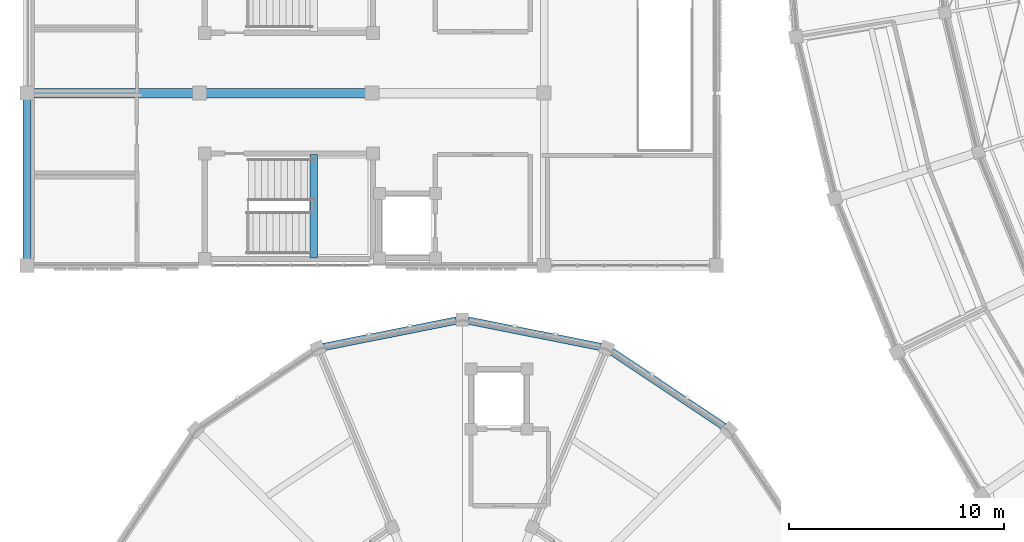
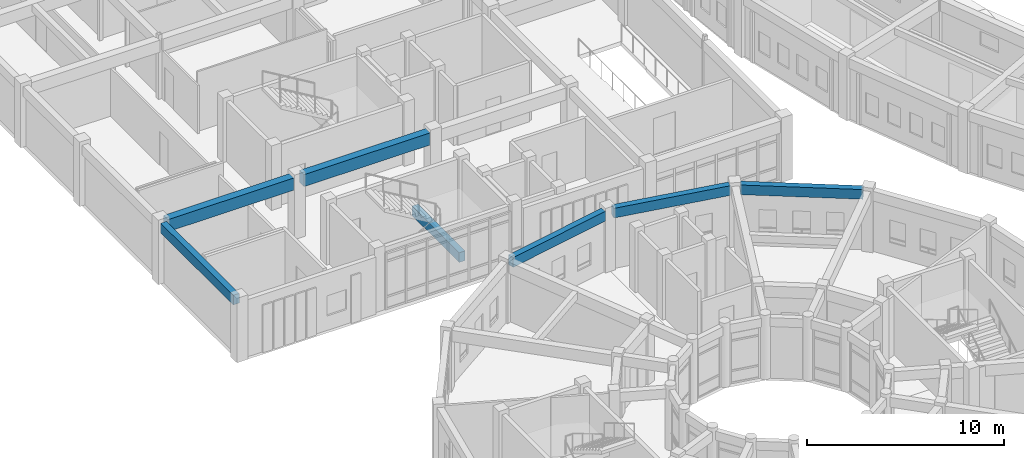
# One storey, part 18 of 112: 7 beams.
"""IFC4 building model written with IfcOpenShell, lengths in metres."""

from ifc_helpers import new_model, si_unit, direction, frame, origin, origin_2d, place, context, subcontext, project, spatial, rectangle, extrude, material, material_profile, profile_set, type_object, element, save


model = new_model("IFC4")

# Units and contexts
model_context = context("Model", 3, precision=1e-05, world=origin(), true_north=direction((0.0, 1.0)))
body_context = subcontext(model_context, "Body", "Model", "MODEL_VIEW")
ifc_project = project(units=[si_unit("LENGTHUNIT", "METRE"), si_unit("AREAUNIT", "SQUARE_METRE"), si_unit("VOLUMEUNIT", "CUBIC_METRE"), si_unit("PLANEANGLEUNIT", "RADIAN"), si_unit("MASSUNIT", "GRAM", prefix="KILO")], contexts=[model_context])

# Site, building, storey
site_placement = place(None, origin())
site = spatial("IfcSite", under=ifc_project, at=site_placement, CompositionType="ELEMENT")
building_placement = place(site_placement, origin())
building = spatial("IfcBuilding", under=site, at=building_placement, Name="Celadon Cloister-Ring School", CompositionType="ELEMENT")
storey_placement = place(building_placement, frame((0.0, 0.0, 8.5)))
storey = spatial("IfcBuildingStorey", under=building, at=storey_placement, Name="L02", CompositionType="ELEMENT", Elevation=8.5)

# Beams
ifc_material_1 = material(Name="Concrete C35/45", Category="concrete")
ifc_material_profile_1 = material_profile(ifc_material_1, rectangle(XDim=0.35009765625, YDim=0.60009765625, at=origin_2d()), Name="RC350X600")
ifc_profile_set_1 = profile_set([ifc_material_profile_1], Name="Concrete C35/45")
beam_type_1 = type_object("IfcBeamType", Name="BT-02", PredefinedType="BEAM", material=ifc_profile_set_1)
beam_1_placement = place(storey_placement, frame((0.0, 40.300048828125, 3.4599609375), z_axis=(0.0, 1.0, 0.0), x_axis=(-1.0, 0.0, 0.0)))
element("IfcBeam", 1, at=beam_1_placement, inside=storey, type_object=beam_type_1, Name="Beam 1575", PredefinedType="BEAM", context=body_context, shape_type="SweptSolid", body=[
    extrude(rectangle(XDim=0.35009765625, YDim=0.60009765625, at=origin_2d()), origin(), (0.0, 0.0, 1.0), 7.39990234375),
])
beam_2_placement = place(storey_placement, frame((13.300048828125, 40.35009765625, 1.419921875), z_axis=(0.0, 1.0, 0.0), x_axis=(-1.0, 0.0, 0.0)))
element("IfcBeam", 2, at=beam_2_placement, inside=storey, type_object=beam_type_1, Name="Stair Landing Beam 1723", PredefinedType="BEAM", context=body_context, shape_type="SweptSolid", body=[
    extrude(rectangle(XDim=0.35009765625, YDim=0.60009765625, at=origin_2d()), origin(), (0.0, 0.0, 1.0), 4.7998046875),
])
ifc_material_2 = material(Name="Concrete C35/45", Category="concrete")
ifc_material_profile_2 = material_profile(ifc_material_2, rectangle(XDim=0.449951171875, YDim=0.75, at=origin_2d()), Name="RC450X750")
ifc_profile_set_2 = profile_set([ifc_material_profile_2], Name="Concrete C35/45")
beam_type_2 = type_object("IfcBeamType", Name="GT-02", PredefinedType="USERDEFINED", material=ifc_profile_set_2)
for number, where, z_axis, x_axis, name in (
    (3, (0.300048828125, 48.0, 3.385009765625), (1.0, 0.0, 0.0), (0.0, 1.0, 0.0), "Beam 1559"),
    (4, (8.300048828125, 48.0, 3.385009765625), (1.0, 0.0, 0.0), (0.0, 1.0, 0.0), "Beam 1560"),
):
    element("IfcBeam", number, at=place(storey_placement, frame(where, z_axis=z_axis, x_axis=x_axis)), inside=storey, type_object=beam_type_2, Name=name, ObjectType="GIRDER", PredefinedType="USERDEFINED", context=body_context, shape_type="SweptSolid", body=[
        extrude(rectangle(XDim=0.449951171875, YDim=0.75, at=origin_2d()), origin(), (0.0, 0.0, 1.0), 7.39990234375),
    ])
ifc_material_3 = material(Name="Concrete C35/45", Category="concrete")
ifc_material_profile_3 = material_profile(ifc_material_3, rectangle(XDim=0.35009765625, YDim=0.60009765625, at=origin_2d()), Name="RC350X600")
ifc_profile_set_3 = profile_set([ifc_material_profile_3], Name="Concrete C35/45")
beam_type_3 = type_object("IfcBeamType", Name="SP-01", PredefinedType="SPANDREL", material=ifc_profile_set_3)
beam_3_placement = place(storey_placement, frame((32.344970703125, 32.527099609375, 3.47998046875), z_axis=(-0.831427473898, 0.555633292422, 0.0), x_axis=(-0.555633292422, -0.831427473898, 0.0)))
element("IfcBeam", 5, at=beam_3_placement, inside=storey, type_object=beam_type_3, Name="Beam 1027", PredefinedType="SPANDREL", context=body_context, shape_type="SweptSolid", body=[
    extrude(rectangle(XDim=0.35009765625, YDim=0.60009765625, at=origin_2d()), origin(), (0.0, 0.0, 1.0), 6.277099609375),
])
for number, where, z_axis, x_axis, name in (
    (6, (26.626953125, 36.221923828125, 3.47998046875), (-0.980802920261, 0.195001619501, 0.0), (-0.195001619501, -0.980802920261, 0.0), "Beam 1031"),
    (7, (19.929931640625, 37.446044921875, 3.47998046875), (-0.980802920261, -0.195001619501, 0.0), (0.195001619501, -0.980802920261, 0.0), "Beam 1033"),
):
    element("IfcBeam", number, at=place(storey_placement, frame(where, z_axis=z_axis, x_axis=x_axis)), inside=storey, type_object=beam_type_3, Name=name, PredefinedType="SPANDREL", context=body_context, shape_type="SweptSolid", body=[
        extrude(rectangle(XDim=0.35009765625, YDim=0.60009765625, at=origin_2d()), origin(), (0.0, 0.0, 1.0), 6.277587890625),
    ])

save(model, "model.ifc")
